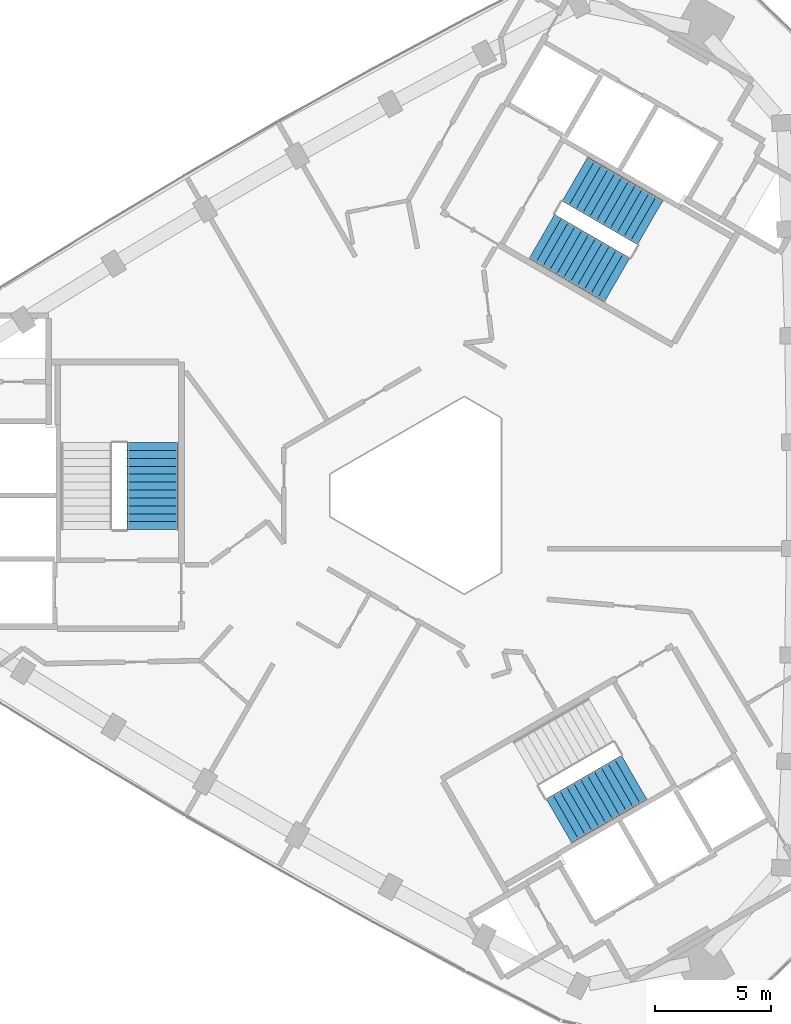
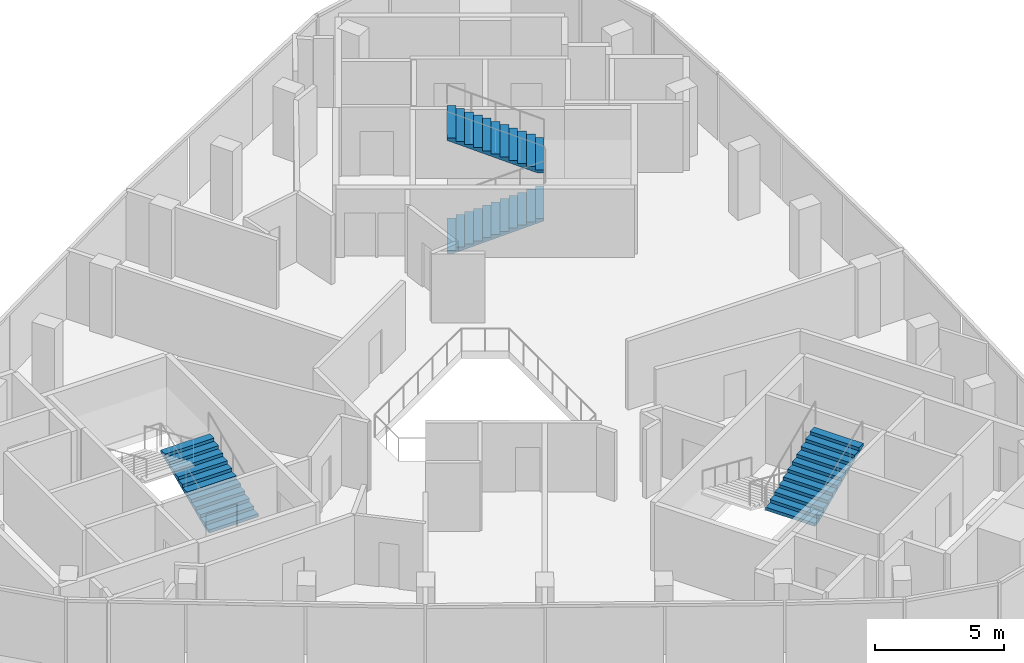
# One storey, part 9 of 10: 4 stair flights, 3 elements without a shape of their own.
"""IFC4 building model written with IfcOpenShell, lengths in metres."""

from ifc_helpers import new_model, si_unit, direction, frame, origin, place, context, subcontext, project, spatial, polyline, outline, extrude, material, type_object, element, aggregate, save


model = new_model("IFC4")

# Units and contexts
model_context = context("Model", 3, precision=1e-05, world=origin(), true_north=direction((0.0, 1.0)))
body_context = subcontext(model_context, "Body", "Model", "MODEL_VIEW")
ifc_project = project(units=[si_unit("LENGTHUNIT", "METRE"), si_unit("AREAUNIT", "SQUARE_METRE"), si_unit("VOLUMEUNIT", "CUBIC_METRE"), si_unit("PLANEANGLEUNIT", "RADIAN"), si_unit("MASSUNIT", "GRAM", prefix="KILO")], contexts=[model_context])

# Site, building, storey
site_placement = place(None, origin())
site = spatial("IfcSite", under=ifc_project, at=site_placement, CompositionType="ELEMENT")
building_placement = place(site_placement, origin())
building = spatial("IfcBuilding", under=site, at=building_placement, Name="Tamra Quay Hotel Tower", CompositionType="ELEMENT")
storey_placement = place(building_placement, frame((0.0, 0.0, 294.60009765625)))
storey = spatial("IfcBuildingStorey", under=building, at=storey_placement, Name="L74", CompositionType="ELEMENT", Elevation=294.60009765625)

# Stair, stair flight
ifc_material_1 = material(Name="Exit stair 2200 24 risers 150.0 going 342")
stair_type = type_object("IfcStairType", Name="Exit stair 2200 24 risers 150.0 going 342", PredefinedType="HALF_TURN_STAIR", material=ifc_material_1)
stair_1_placement = place(storey_placement, origin())
stair_1 = element("IfcStair", 1, at=stair_1_placement, inside=storey, type_object=stair_type, Name="L74 Exit stair ST3", PredefinedType="HALF_TURN_STAIR")
ifc_material_2 = material(Name="Exit stair flight 2200 12 risers 150.0")
stair_flight_type = type_object("IfcStairFlightType", Name="Exit stair flight 2200 12 risers 150.0", PredefinedType="STRAIGHT", material=ifc_material_2)
stair_flight_1_placement = place(storey_placement, frame((-12.082275390625, -1.47998046875, 0.0), z_axis=(0.0, 0.0, 1.0), x_axis=(0.0, 1.0, 0.0)))
stair_flight_1 = element("IfcStairFlight", 2, at=stair_flight_1_placement, type_object=stair_flight_type, Name="ST3 flight 1", NumberOfRisers=12, NumberOfTreads=11, PredefinedType="STRAIGHT", RiserHeight=0.15, TreadLength=0.342, context=body_context, shape_type="SweptSolid", body=[
    extrude(outline(polyline([(0.0, 0.0), (0.0, 0.14990234375), (0.342041015625, 0.14990234375), (0.342041015625, 0.300048828125), (0.68408203125, 0.300048828125), (0.68408203125, 0.449951171875), (1.02587890625, 0.449951171875), (1.02587890625, 0.60009765625), (1.367919921875, 0.60009765625), (1.367919921875, 0.75), (1.7099609375, 0.75), (1.7099609375, 0.89990234375), (2.052001953125, 0.89990234375), (2.052001953125, 1.050048828125), (2.39404296875, 1.050048828125), (2.39404296875, 1.199951171875), (2.736083984375, 1.199951171875), (2.736083984375, 1.35009765625), (3.077880859375, 1.35009765625), (3.077880859375, 1.5), (3.419921875, 1.5), (3.419921875, 1.64990234375), (3.761962890625, 1.64990234375), (3.761962890625, 1.800048828125), (3.761962890625, 1.540771484375), (0.249267578125, 0.0), (0.0, 0.0)])), frame((0.0, 1.10009765625, 0.0), z_axis=(0.0, -1.0, 0.0), x_axis=(1.0, 0.0, 0.0)), (0.0, 0.0, 1.0), 2.199951171875),
])
aggregate(stair_1, [stair_flight_1])

# Stair, stair flights
stair_2_placement = place(storey_placement, origin())
stair_2 = element("IfcStair", 3, at=stair_2_placement, inside=storey, type_object=stair_type, Name="L74 Exit stair ST1", PredefinedType="HALF_TURN_STAIR")
stair_flight_2_placement = place(storey_placement, frame((4.75927734375, 11.20361328125, 0.0), z_axis=(0.0, 0.0, 1.0), x_axis=(0.866025403784, -0.5, 0.0)))
stair_flight_2 = element("IfcStairFlight", 4, at=stair_flight_2_placement, type_object=stair_flight_type, Name="ST1 flight 1", NumberOfRisers=12, NumberOfTreads=11, PredefinedType="STRAIGHT", RiserHeight=0.15, TreadLength=0.342, context=body_context, shape_type="SweptSolid", body=[
    extrude(outline(polyline([(0.0, 0.0), (0.0, 0.14990234375), (0.342041015625, 0.14990234375), (0.342041015625, 0.300048828125), (0.68408203125, 0.300048828125), (0.68408203125, 0.449951171875), (1.02587890625, 0.449951171875), (1.02587890625, 0.60009765625), (1.367919921875, 0.60009765625), (1.367919921875, 0.75), (1.7099609375, 0.75), (1.7099609375, 0.89990234375), (2.052001953125, 0.89990234375), (2.052001953125, 1.050048828125), (2.39404296875, 1.050048828125), (2.39404296875, 1.199951171875), (2.736083984375, 1.199951171875), (2.736083984375, 1.35009765625), (3.077880859375, 1.35009765625), (3.077880859375, 1.5), (3.419921875, 1.5), (3.419921875, 1.64990234375), (3.761962890625, 1.64990234375), (3.761962890625, 1.800048828125), (3.761962890625, 1.540771484375), (0.249267578125, 0.0), (0.0, 0.0)])), frame((0.0, 1.10009765625, 0.0), z_axis=(0.0, -1.0, 0.0), x_axis=(1.0, 0.0, 0.0)), (0.0, 0.0, 1.0), 2.199951171875),
])
stair_flight_3_placement = place(storey_placement, frame((9.44677734375, 11.798583984375, 1.7998046875), z_axis=(0.0, 0.0, 1.0), x_axis=(-0.866025403784, 0.5, 0.0)))
stair_flight_3 = element("IfcStairFlight", 5, at=stair_flight_3_placement, type_object=stair_flight_type, Name="ST1 flight 2", NumberOfRisers=12, NumberOfTreads=11, PredefinedType="STRAIGHT", RiserHeight=0.15, TreadLength=0.342, context=body_context, shape_type="SweptSolid", body=[
    extrude(outline(polyline([(0.0, 0.0), (0.0, 0.14990234375), (0.342041015625, 0.14990234375), (0.342041015625, 0.300048828125), (0.68408203125, 0.300048828125), (0.68408203125, 0.449951171875), (1.02587890625, 0.449951171875), (1.02587890625, 0.60009765625), (1.367919921875, 0.60009765625), (1.367919921875, 0.75), (1.7099609375, 0.75), (1.7099609375, 0.89990234375), (2.052001953125, 0.89990234375), (2.052001953125, 1.050048828125), (2.39404296875, 1.050048828125), (2.39404296875, 1.199951171875), (2.736083984375, 1.199951171875), (2.736083984375, 1.35009765625), (3.077880859375, 1.35009765625), (3.077880859375, 1.5), (3.419921875, 1.5), (3.419921875, 1.64990234375), (3.761962890625, 1.64990234375), (3.761962890625, 1.800048828125), (3.761962890625, 1.540771484375), (0.249267578125, 0.0), (0.0, 0.0)])), frame((0.0, 1.10009765625, 0.0), z_axis=(0.0, -1.0, 0.0), x_axis=(1.0, 0.0, 0.0)), (0.0, 0.0, 1.0), 2.199951171875),
])
aggregate(stair_2, [stair_flight_2, stair_flight_3])

# Stair, stair flight
stair_3_placement = place(storey_placement, origin())
stair_3 = element("IfcStair", 6, at=stair_3_placement, inside=storey, type_object=stair_type, Name="L74 Exit stair ST2", PredefinedType="HALF_TURN_STAIR")
stair_flight_4_placement = place(storey_placement, frame((5.494384765625, -14.08056640625, 1.7998046875), z_axis=(0.0, 0.0, 1.0), x_axis=(0.866025403784, 0.5, 0.0)))
stair_flight_4 = element("IfcStairFlight", 7, at=stair_flight_4_placement, type_object=stair_flight_type, Name="ST2 flight 2", NumberOfRisers=12, NumberOfTreads=11, PredefinedType="STRAIGHT", RiserHeight=0.15, TreadLength=0.342, context=body_context, shape_type="SweptSolid", body=[
    extrude(outline(polyline([(0.0, 0.0), (0.0, 0.14990234375), (0.342041015625, 0.14990234375), (0.342041015625, 0.300048828125), (0.68408203125, 0.300048828125), (0.68408203125, 0.449951171875), (1.02587890625, 0.449951171875), (1.02587890625, 0.60009765625), (1.367919921875, 0.60009765625), (1.367919921875, 0.75), (1.7099609375, 0.75), (1.7099609375, 0.89990234375), (2.052001953125, 0.89990234375), (2.052001953125, 1.050048828125), (2.39404296875, 1.050048828125), (2.39404296875, 1.199951171875), (2.736083984375, 1.199951171875), (2.736083984375, 1.35009765625), (3.077880859375, 1.35009765625), (3.077880859375, 1.5), (3.419921875, 1.5), (3.419921875, 1.64990234375), (3.761962890625, 1.64990234375), (3.761962890625, 1.800048828125), (3.761962890625, 1.540771484375), (0.249267578125, 0.0), (0.0, 0.0)])), frame((0.0, 1.10009765625, 0.0), z_axis=(0.0, -1.0, 0.0), x_axis=(1.0, 0.0, 0.0)), (0.0, 0.0, 1.0), 2.199951171875),
])
aggregate(stair_3, [stair_flight_4])

save(model, "model.ifc")
